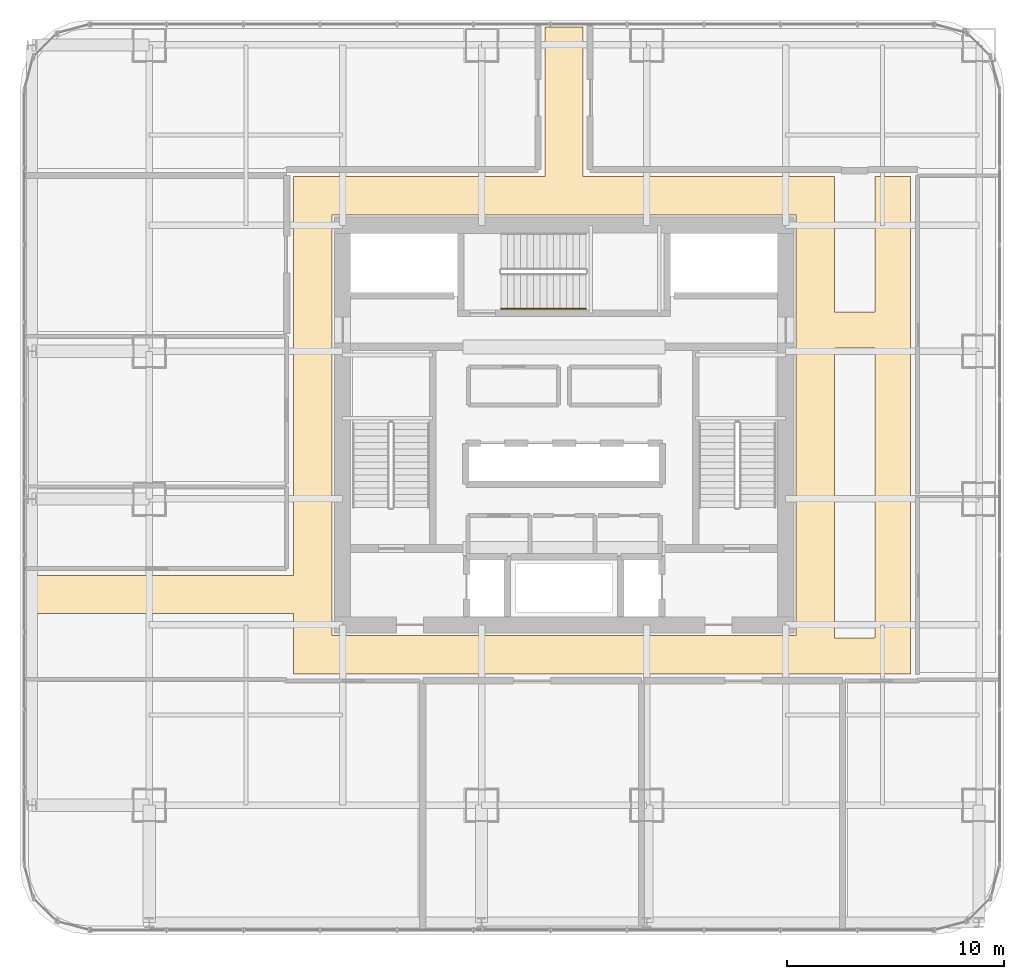
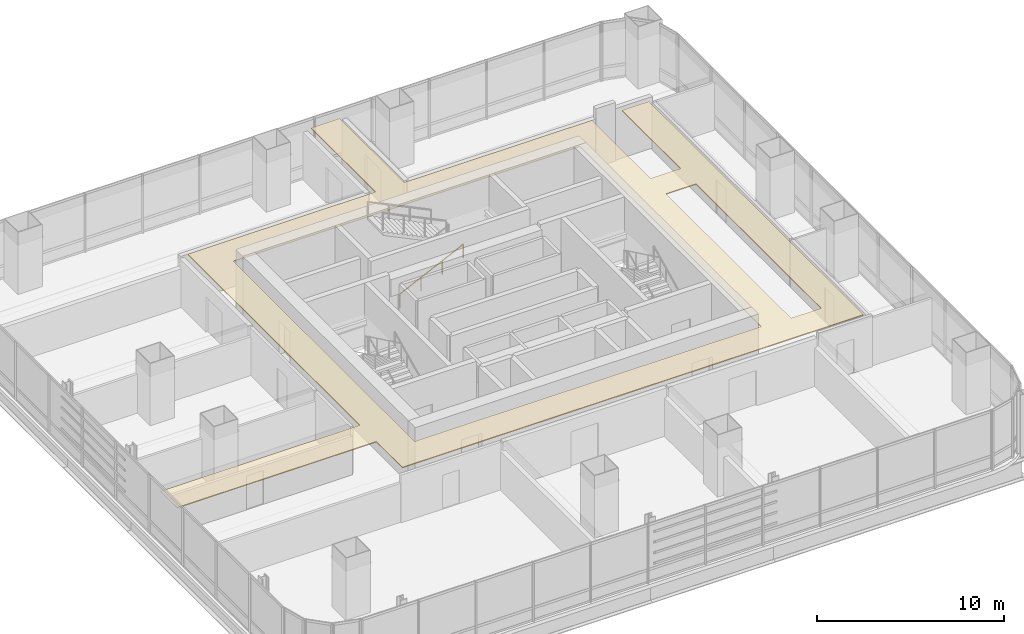
# One storey, part 34 of 36: 1 covering, 1 railing.
"""IFC4 building model written with IfcOpenShell, lengths in metres."""

from ifc_helpers import new_model, si_unit, direction, frame, origin, origin_2d, place, context, subcontext, project, spatial, polyline, circle, outline, extrude, material, layer, layer_set, type_object, element, save


model = new_model("IFC4")

# Units and contexts
model_context = context("Model", 3, precision=1e-05, world=origin(), true_north=direction((0.0, 1.0)))
body_context = subcontext(model_context, "Body", "Model", "MODEL_VIEW")
ifc_project = project(units=[si_unit("LENGTHUNIT", "METRE"), si_unit("AREAUNIT", "SQUARE_METRE"), si_unit("VOLUMEUNIT", "CUBIC_METRE"), si_unit("PLANEANGLEUNIT", "RADIAN"), si_unit("MASSUNIT", "GRAM", prefix="KILO")], contexts=[model_context])

# Site, building, storey
site_placement = place(None, origin())
site = spatial("IfcSite", under=ifc_project, at=site_placement, CompositionType="ELEMENT")
building_placement = place(site_placement, origin())
building = spatial("IfcBuilding", under=site, at=building_placement, Name="Punatoya Terracotta Tower", CompositionType="ELEMENT")
storey_placement = place(building_placement, frame((0.0, 0.0, 48.449951171875)))
storey = spatial("IfcBuildingStorey", under=building, at=storey_placement, Name="L10", CompositionType="ELEMENT", Elevation=48.449951171875)

# Covering
ifc_material_1 = material(Name="Acoustic Mineral Fibre Ceiling")
ifc_layer = layer(ifc_material_1, 0.06005859375)
ifc_layer_set = layer_set([ifc_layer], Name="Acoustic Mineral Fibre Ceiling")
covering_type = type_object("IfcCoveringType", Name="COV-CEIL-60", PredefinedType="CEILING", material=ifc_layer_set)
covering_placement = place(storey_placement, frame((0.0, 0.0, 3.199951171875)))
element("IfcCovering", 1, at=covering_placement, inside=storey, type_object=covering_type, Name="L10 Ring Circulation Corridor Acoustic Ceiling", PredefinedType="CEILING", context=body_context, shape_type="SweptSolid", body=[
    extrude(outline(polyline([(-12.449951171875, -6.919921875), (-24.72998046875, -6.919921875), (-24.72998046875, -8.679931640625), (-12.449951171875, -8.679931640625), (-12.449951171875, -11.449951171875), (15.949951171875, -11.449951171875), (15.949951171875, 11.449951171875), (14.300048828125, 11.449951171875), (14.300048828125, 5.199951171875), (12.449951171875, 5.199951171875), (12.449951171875, 11.449951171875), (0.8798828125, 11.449951171875), (0.8798828125, 18.330078125), (-0.8798828125, 18.330078125), (-0.8798828125, 11.449951171875), (-12.449951171875, 11.449951171875), (-12.449951171875, -6.919921875)]), holes=[polyline([(14.300048828125, -9.800048828125), (12.449951171875, -9.800048828125), (12.449951171875, 3.550048828125), (14.300048828125, 3.550048828125), (14.300048828125, -9.800048828125)]), polyline([(10.679931640625, 9.679931640625), (10.679931640625, -9.679931640625), (-10.679931640625, -9.679931640625), (-10.679931640625, 9.679931640625), (10.679931640625, 9.679931640625)])]), origin(), (0.0, 0.0, 1.0), 0.06005859375),
])

# Railing
ifc_material_2 = material(Name="Steel S355", Category="steel")
railing_type = type_object("IfcRailingType", Name="RLG-HND-900", PredefinedType="HANDRAIL", material=ifc_material_2)
railing_placement = place(storey_placement, frame((-2.89990234375, 5.35009765625, 0.144775390625)))
element("IfcRailing", 2, at=railing_placement, inside=storey, type_object=railing_type, Name="L10 ST-3 stair handrail 1", PredefinedType="HANDRAIL", context=body_context, shape_type="SweptSolid", body=[
    extrude(circle(Radius=0.02392578125, at=origin_2d()), frame((0.0, 0.0, 0.8759765625), z_axis=(0.900763166376, 0.0, 0.434310623978), x_axis=(0.0, 1.0, 0.0)), (0.0, 0.0, 1.0), 4.32958984375),
    extrude(circle(Radius=0.02099609375, at=origin_2d()), origin(), (0.0, 0.0, 1.0), 0.851806640625),
    extrude(circle(Radius=0.02099609375, at=origin_2d()), frame((1.300048828125, 0.0, 0.626708984375)), (0.0, 0.0, 1.0), 0.851806640625),
    extrude(circle(Radius=0.02099609375, at=origin_2d()), frame((2.599853515625, 0.0, 1.253662109375)), (0.0, 0.0, 1.0), 0.851806640625),
    extrude(circle(Radius=0.02099609375, at=origin_2d()), frame((3.89990234375, 0.0, 1.88037109375)), (0.0, 0.0, 1.0), 0.851806640625),
])

save(model, "model.ifc")
